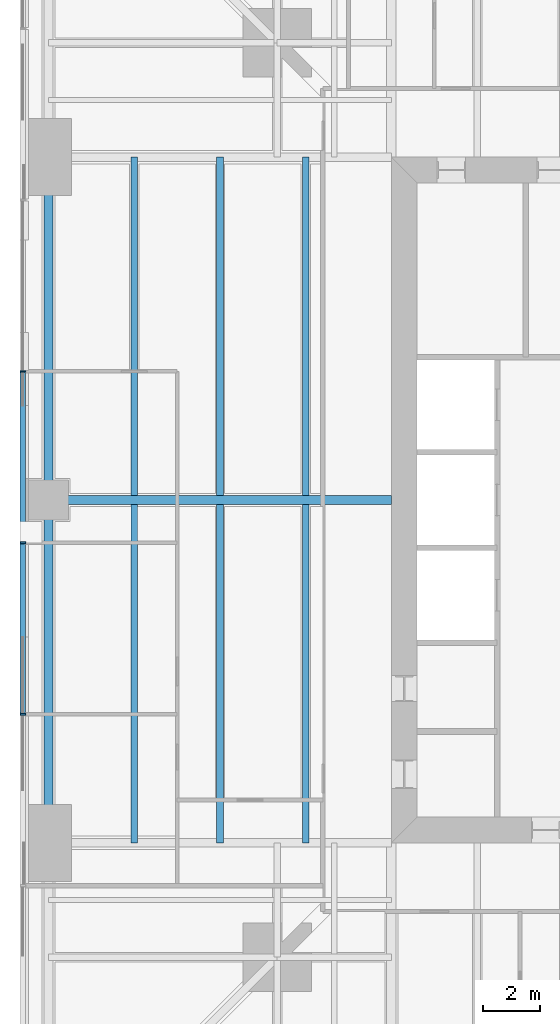
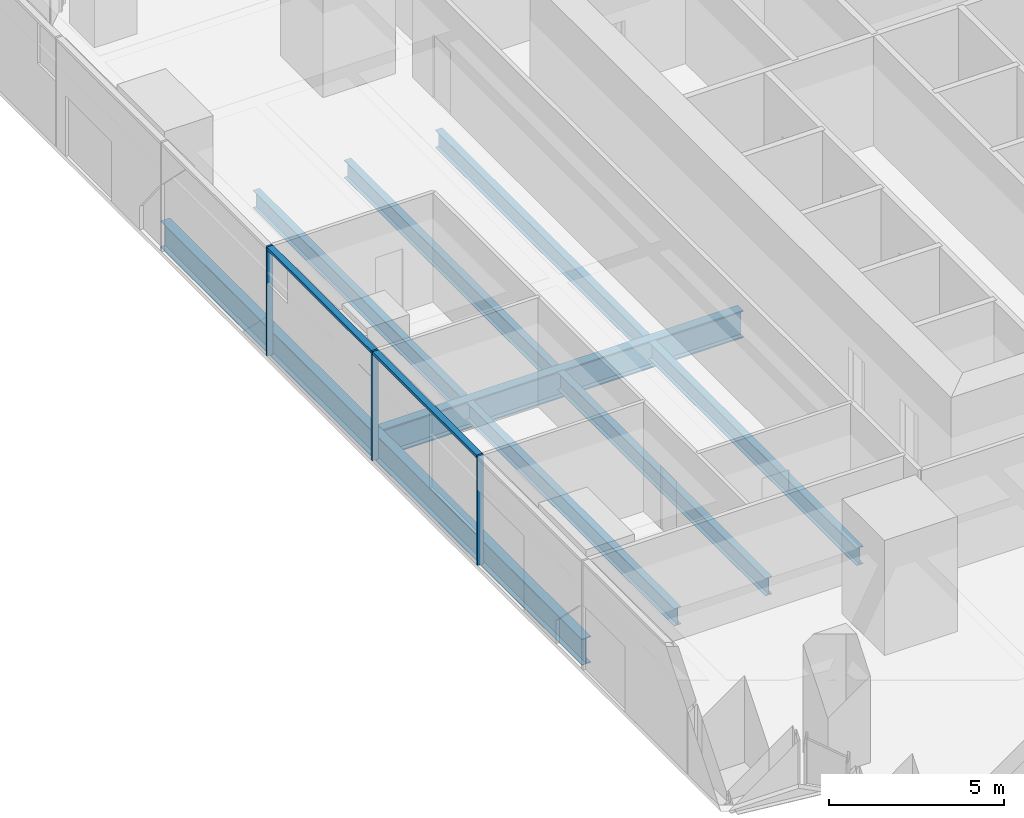
# One storey, part 4 of 14: 9 beams, 5 members, 1 element without a shape of its own.
"""IFC4 building model written with IfcOpenShell, lengths in metres."""

from ifc_helpers import new_model, si_unit, direction, frame, origin, origin_2d, place, context, subcontext, project, spatial, rectangle, i_section, extrude, material, material_profile, profile_set, type_object, element, aggregate, save


model = new_model("IFC4")

# Units and contexts
model_context = context("Model", 3, precision=1e-05, world=origin(), true_north=direction((0.0, 1.0)))
body_context = subcontext(model_context, "Body", "Model", "MODEL_VIEW")
ifc_project = project(units=[si_unit("LENGTHUNIT", "METRE"), si_unit("AREAUNIT", "SQUARE_METRE"), si_unit("VOLUMEUNIT", "CUBIC_METRE"), si_unit("PLANEANGLEUNIT", "RADIAN"), si_unit("MASSUNIT", "GRAM", prefix="KILO")], contexts=[model_context])

# Site, building, storey
site_placement = place(None, origin())
site = spatial("IfcSite", under=ifc_project, at=site_placement, CompositionType="ELEMENT")
building_placement = place(site_placement, origin())
building = spatial("IfcBuilding", under=site, at=building_placement, Name="Fenwick Lantern Interchange", CompositionType="ELEMENT")
storey_placement = place(building_placement, frame((0.0, 0.0, 87.0)))
storey = spatial("IfcBuildingStorey", under=building, at=storey_placement, Name="L20", CompositionType="ELEMENT", Elevation=87.0)

# Beams
ifc_material_1 = material(Name="Steel ASTM A992 Grade 50", Category="steel")
ifc_material_profile_1 = material_profile(ifc_material_1, i_section(OverallWidth=0.3046875, OverallDepth=0.911865234375, WebThickness=0.015869140625, FlangeThickness=0.02392578125, at=origin_2d()), Name="W36X150")
ifc_profile_set_1 = profile_set([ifc_material_profile_1], Name="Steel ASTM A992 Grade 50")
beam_type_1 = type_object("IfcBeamType", Name="EDGE BEAM W36X150", PredefinedType="SPANDREL", material=ifc_profile_set_1)
for number, where, z_axis, x_axis, name in (
    (1, (1.0, 37.0, -0.60595703125), (0.0, -1.0, 0.0), (1.0, 0.0, 0.0), "L20/FR/W/EB2"),
    (2, (1.0, 25.0, -0.60595703125), (0.0, -1.0, 0.0), (1.0, 0.0, 0.0), "L20/FR/W/EB3"),
):
    element("IfcBeam", number, at=place(storey_placement, frame(where, z_axis=z_axis, x_axis=x_axis)), inside=storey, type_object=beam_type_1, Name=name, PredefinedType="SPANDREL", context=body_context, shape_type="SweptSolid", body=[
        extrude(i_section(OverallWidth=0.3046875, OverallDepth=0.911865234375, WebThickness=0.015869140625, FlangeThickness=0.02392578125, at=origin_2d()), origin(), (0.0, 0.0, 1.0), 12.0),
    ])
ifc_material_profile_2 = material_profile(ifc_material_1, i_section(OverallWidth=0.22900390625, OverallDepth=0.612060546875, WebThickness=0.011962890625, FlangeThickness=0.01953125, at=origin_2d()), Name="W24X84")
ifc_profile_set_2 = profile_set([ifc_material_profile_2], Name="Steel ASTM A992 Grade 50")
beam_type_2 = type_object("IfcBeamType", Name="FLOOR BEAM W24X84", PredefinedType="BEAM", material=ifc_profile_set_2)
for number, where, z_axis, x_axis, name in (
    (3, (4.0, 37.0, -0.4560546875), (0.0, -1.0, 0.0), (1.0, 0.0, 0.0), "L20/FR/W/B01"),
    (4, (7.0, 37.0, -0.4560546875), (0.0, -1.0, 0.0), (1.0, 0.0, 0.0), "L20/FR/W/B02"),
    (5, (10.0, 37.0, -0.4560546875), (0.0, -1.0, 0.0), (1.0, 0.0, 0.0), "L20/FR/W/B03"),
    (6, (4.0, 24.844970703125, -0.4560546875), (0.0, -1.0, 0.0), (1.0, 0.0, 0.0), "L20/FR/W/B04"),
    (7, (7.0, 24.844970703125, -0.4560546875), (0.0, -1.0, 0.0), (1.0, 0.0, 0.0), "L20/FR/W/B05"),
    (8, (10.0, 24.844970703125, -0.4560546875), (0.0, -1.0, 0.0), (1.0, 0.0, 0.0), "L20/FR/W/B06"),
):
    element("IfcBeam", number, at=place(storey_placement, frame(where, z_axis=z_axis, x_axis=x_axis)), inside=storey, type_object=beam_type_2, Name=name, PredefinedType="BEAM", context=body_context, shape_type="SweptSolid", body=[
        extrude(i_section(OverallWidth=0.22900390625, OverallDepth=0.612060546875, WebThickness=0.011962890625, FlangeThickness=0.01953125, at=origin_2d()), origin(), (0.0, 0.0, 1.0), 11.844970703125),
    ])
ifc_material_profile_3 = material_profile(ifc_material_1, i_section(OverallWidth=0.309814453125, OverallDepth=0.949951171875, WebThickness=0.0244140625, FlangeThickness=0.0439453125, at=origin_2d()), Name="W36X256")
ifc_profile_set_3 = profile_set([ifc_material_profile_3], Name="Steel ASTM A992 Grade 50")
beam_type_3 = type_object("IfcBeamType", Name="MOMENT-CONNECTED GIRDER W36X256", PredefinedType="BEAM", material=ifc_profile_set_3)
beam_placement = place(storey_placement, frame((1.0, 25.0, -0.625), z_axis=(1.0, 0.0, 0.0), x_axis=(0.0, 1.0, 0.0)))
element("IfcBeam", 9, at=beam_placement, inside=storey, type_object=beam_type_3, Name="L20/FR/W/R02", PredefinedType="BEAM", context=body_context, shape_type="SweptSolid", body=[
    extrude(i_section(OverallWidth=0.309814453125, OverallDepth=0.949951171875, WebThickness=0.0244140625, FlangeThickness=0.0439453125, at=origin_2d()), origin(), (0.0, 0.0, 1.0), 12.0),
])

# Curtain wall, members
ifc_material_2 = material(Name="Aluminium curtain wall frame", Category="aluminium")
curtain_wall_type = type_object("IfcCurtainWallType", Name="OFFICE CURTAIN WALL", PredefinedType="USERDEFINED", material=ifc_material_2)
curtain_wall_placement = place(storey_placement, origin())
curtain_wall = element("IfcCurtainWall", 10, at=curtain_wall_placement, inside=storey, type_object=curtain_wall_type, Name="Office curtain wall 13", ObjectType="OFFICE CURTAIN WALL", PredefinedType="USERDEFINED")
ifc_material_3 = material(Name="Aluminium extrusion", Category="aluminium")
ifc_material_profile_4 = material_profile(ifc_material_3, rectangle(XDim=0.199951171875, YDim=0.06494140625, at=origin_2d()), Name="OFFICE CURTAIN WALL MULLION 65 X 200")
ifc_profile_set_4 = profile_set([ifc_material_profile_4], Name="Aluminium extrusion")
member_type_1 = type_object("IfcMemberType", Name="OFFICE CURTAIN WALL MULLION 65 X 200", PredefinedType="MULLION", material=ifc_profile_set_4)
member_1_placement = place(storey_placement, frame((0.10009765625, 29.5, 0.0), z_axis=(0.0, 0.0, 1.0), x_axis=(1.0, 0.0, 0.0)))
member_1 = element("IfcMember", 11, at=member_1_placement, type_object=member_type_1, Name="L20/CW/13/M03", PredefinedType="MULLION", context=body_context, shape_type="SweptSolid", body=[
    extrude(rectangle(XDim=0.199951171875, YDim=0.06494140625, at=origin_2d()), origin(), (0.0, 0.0, 1.0), 3.800048828125),
])
member_2_placement = place(storey_placement, frame((0.10009765625, 23.5, 0.0), z_axis=(0.0, 0.0, 1.0), x_axis=(1.0, 0.0, 0.0)))
member_2 = element("IfcMember", 12, at=member_2_placement, type_object=member_type_1, Name="L20/CW/13/M04", PredefinedType="MULLION", context=body_context, shape_type="SweptSolid", body=[
    extrude(rectangle(XDim=0.199951171875, YDim=0.06494140625, at=origin_2d()), origin(), (0.0, 0.0, 1.0), 3.800048828125),
])
member_3_placement = place(storey_placement, frame((0.10009765625, 17.5, 0.0), z_axis=(0.0, 0.0, 1.0), x_axis=(1.0, 0.0, 0.0)))
member_3 = element("IfcMember", 13, at=member_3_placement, type_object=member_type_1, Name="L20/CW/13/M05", PredefinedType="MULLION", context=body_context, shape_type="SweptSolid", body=[
    extrude(rectangle(XDim=0.199951171875, YDim=0.06494140625, at=origin_2d()), origin(), (0.0, 0.0, 1.0), 3.800048828125),
])
ifc_material_profile_5 = material_profile(ifc_material_3, rectangle(XDim=0.199951171875, YDim=0.10009765625, at=origin_2d()), Name="OFFICE CURTAIN WALL TRANSOM 100 X 200")
ifc_profile_set_5 = profile_set([ifc_material_profile_5], Name="Aluminium extrusion")
member_type_2 = type_object("IfcMemberType", Name="OFFICE CURTAIN WALL TRANSOM 100 X 200", PredefinedType="MULLION", material=ifc_profile_set_5)
member_4_placement = place(storey_placement, frame((0.10009765625, 29.467529296875, 3.75), z_axis=(0.0, -1.0, 0.0), x_axis=(1.0, 0.0, 0.0)))
member_4 = element("IfcMember", 14, at=member_4_placement, type_object=member_type_2, Name="L20/CW/13/T03", PredefinedType="MULLION", context=body_context, shape_type="SweptSolid", body=[
    extrude(rectangle(XDim=0.199951171875, YDim=0.10009765625, at=origin_2d()), origin(), (0.0, 0.0, 1.0), 5.93505859375),
])
member_5_placement = place(storey_placement, frame((0.10009765625, 23.467529296875, 3.75), z_axis=(0.0, -1.0, 0.0), x_axis=(1.0, 0.0, 0.0)))
member_5 = element("IfcMember", 15, at=member_5_placement, type_object=member_type_2, Name="L20/CW/13/T04", PredefinedType="MULLION", context=body_context, shape_type="SweptSolid", body=[
    extrude(rectangle(XDim=0.199951171875, YDim=0.10009765625, at=origin_2d()), origin(), (0.0, 0.0, 1.0), 5.93505859375),
])
aggregate(curtain_wall, [member_1, member_2, member_3, member_4, member_5])

save(model, "model.ifc")
